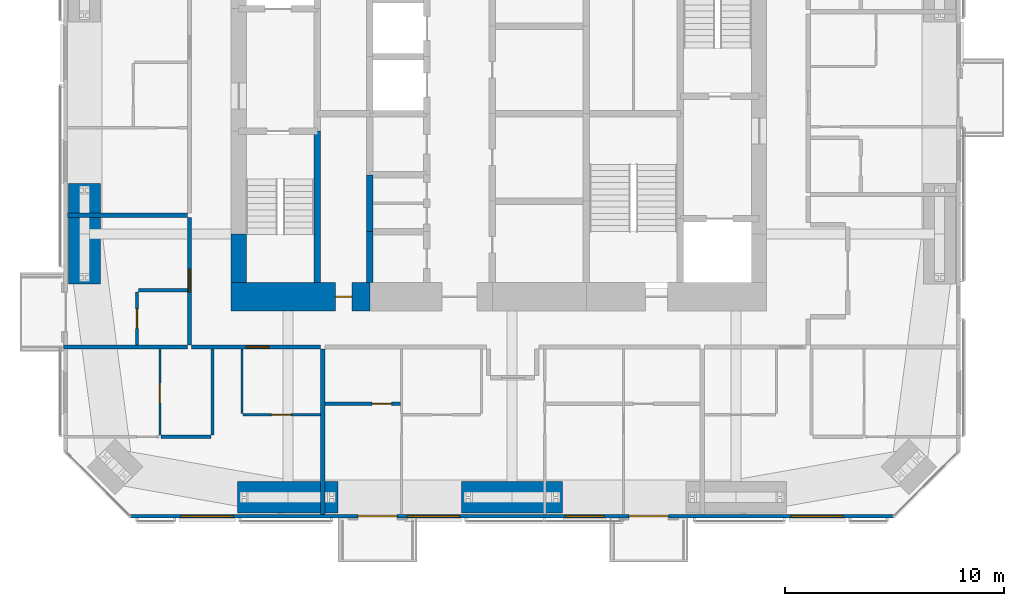
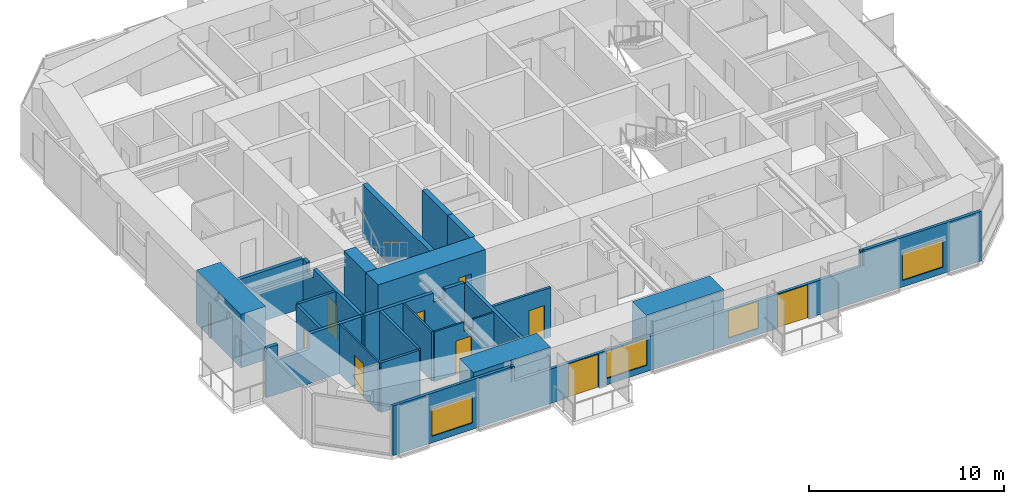
# One storey, part 15 of 22: 22 walls, 9 doors, 4 windows, 13 openings.
"""IFC4 building model written with IfcOpenShell, lengths in metres."""

import ifcopenshell
import ifcopenshell.guid

model = None  # the IFC model being written
_history = None  # IfcOwnerHistory: only IFC2X3 demands one
_inside = {}  # id of a spatial element -> (the spatial element, [elements in it])
_under = {}  # id of a project, library or spatial element -> (it, [spatial elements below it])
_declared = {}  # id of a project -> (the project, [libraries it declares])
_typed = {}  # id of a type object -> (the type object, [elements of that type])
_made_of = {}  # id of a material, layer set ... -> (it, [elements and type objects made of it])


def new_model(schema):
    """Start an empty IFC model of exactly this schema.

    Asked for "IFC4X3", IfcOpenShell would pick the latest addendum, in which some entities
    have other attributes; the version numbers below select the first issue.
    IFC2X3 requires an IfcOwnerHistory on every rooted entity: one is made here for all.
    """
    global model, _history
    if schema == "IFC4X3":
        model = ifcopenshell.file(schema_version=(4, 3, 0, 0))
    else:
        model = ifcopenshell.file(schema=schema)
    _inside.clear()
    _under.clear()
    _declared.clear()
    _typed.clear()
    _made_of.clear()
    _history = None
    if model.schema == "IFC2X3":
        org = make("IfcOrganization", Name="unknown")
        user = make(
            "IfcPersonAndOrganization",
            ThePerson=make("IfcPerson", FamilyName="unknown"),
            TheOrganization=org,
        )
        app = make(
            "IfcApplication",
            ApplicationDeveloper=org,
            Version="unknown",
            ApplicationFullName="unknown",
            ApplicationIdentifier="unknown",
        )
        _history = make(
            "IfcOwnerHistory",
            OwningUser=user,
            OwningApplication=app,
            ChangeAction="ADDED",
            CreationDate=0,
        )
    return model


def make(cls, **values):
    """One entity of the class cls with the attributes given. An attribute that is None is left unset."""
    return model.create_entity(
        cls, **{name: value for name, value in values.items() if value is not None}
    )


def rooted(cls, **values):
    """An entity with a GlobalId (a new one), such as an element, a storey or a relation."""
    return make(cls, GlobalId=ifcopenshell.guid.new(), OwnerHistory=_history, **values)


def si_unit(unit_type, name, prefix=None):
    """IfcSIUnit, for example si_unit("LENGTHUNIT", "METRE", prefix="MILLI")."""
    return make("IfcSIUnit", UnitType=unit_type, Prefix=prefix, Name=name)


def assignment(units):
    """IfcUnitAssignment: the units of a project."""
    return None if units is None else make("IfcUnitAssignment", Units=units)


def point(xyz):
    """IfcCartesianPoint."""
    return None if xyz is None else make("IfcCartesianPoint", Coordinates=xyz)


def direction(xyz):
    """IfcDirection."""
    return None if xyz is None else make("IfcDirection", DirectionRatios=xyz)


def frame(location, z_axis=None, x_axis=None):
    """IfcAxis2Placement3D, a coordinate frame: its origin and axes. An axis left out is left unset."""
    return make(
        "IfcAxis2Placement3D",
        Location=point(location),
        Axis=direction(z_axis),
        RefDirection=direction(x_axis),
    )


def frame_2d(location, x_axis=None):
    """IfcAxis2Placement2D, a coordinate frame in the plane: its origin and x axis."""
    return make(
        "IfcAxis2Placement2D", Location=point(location), RefDirection=direction(x_axis)
    )


def origin():
    """The frame at (0, 0, 0) with its axes left unset."""
    return frame((0.0, 0.0, 0.0))


def place(relative_to, where):
    """IfcLocalPlacement: puts the frame where relative to a parent placement (None: the world)."""
    return make(
        "IfcLocalPlacement", PlacementRelTo=relative_to, RelativePlacement=where
    )


def context(
    kind, dimensions, precision=None, world=None, true_north=None, identifier=None
):
    """IfcGeometricRepresentationContext, for example the 3D "Model" context."""
    return make(
        "IfcGeometricRepresentationContext",
        ContextIdentifier=identifier,
        ContextType=kind,
        CoordinateSpaceDimension=dimensions,
        Precision=precision,
        WorldCoordinateSystem=world,
        TrueNorth=true_north,
    )


def subcontext(parent, identifier, kind, view, scale=None):
    """IfcGeometricRepresentationSubContext, for example "Body" below "Model"."""
    return make(
        "IfcGeometricRepresentationSubContext",
        ContextIdentifier=identifier,
        ContextType=kind,
        ParentContext=parent,
        TargetScale=scale,
        TargetView=view,
    )


def project(units=None, contexts=None):
    """IfcProject with its units and contexts."""
    return rooted(
        "IfcProject",
        Name="project",
        RepresentationContexts=contexts,
        UnitsInContext=assignment(units),
    )


def spatial(cls, under=None, at=None, **own):
    """A site, building, storey or space (cls), placed at a placement, below another one or the project."""
    s = rooted(cls, ObjectPlacement=at, **own)
    if under is not None:
        _under.setdefault(under.id(), (under, []))[1].append(s)
    return s


def polyline(points):
    """IfcPolyline through the points."""
    return make("IfcPolyline", Points=[point(p) for p in points])


def profile(cls, at=None, kind="AREA", **sizes):
    """A parametric profile (cls). Its sizes go by their IFC names, for example OverallWidth=200.0."""
    return make(cls, ProfileType=kind, Position=at, **sizes)


def rectangle(**sizes):
    """IfcRectangleProfileDef."""
    return profile("IfcRectangleProfileDef", **sizes)


def outline(outer, holes=None, kind="AREA"):
    """IfcArbitraryClosedProfileDef: a profile drawn as a closed curve; with holes, ...WithVoids."""
    if holes is None:
        return make("IfcArbitraryClosedProfileDef", ProfileType=kind, OuterCurve=outer)
    return make(
        "IfcArbitraryProfileDefWithVoids",
        ProfileType=kind,
        OuterCurve=outer,
        InnerCurves=holes,
    )


def extrude(swept, where, along, depth):
    """IfcExtrudedAreaSolid: the profile swept, set in the frame where, extruded along a direction by depth."""
    return make(
        "IfcExtrudedAreaSolid",
        SweptArea=swept,
        Position=where,
        ExtrudedDirection=direction(along),
        Depth=depth,
    )


def shape(context_of_items, identifier, shape_type, items):
    """IfcShapeRepresentation: the items that make up one representation, for example the "Body"."""
    return make(
        "IfcShapeRepresentation",
        ContextOfItems=context_of_items,
        RepresentationIdentifier=identifier,
        RepresentationType=shape_type,
        Items=items,
    )


def material(Name=None, Category=None):
    """IfcMaterial."""
    return make("IfcMaterial", Name=Name, Category=Category)


def layer(
    of_material, thickness, ventilated=None, Name=None, Category=None, Priority=None
):
    """IfcMaterialLayer: one layer of a wall or slab, of a material (None: an air gap)."""
    return make(
        "IfcMaterialLayer",
        Material=of_material,
        LayerThickness=thickness,
        IsVentilated=ventilated,
        Name=Name,
        Category=Category,
        Priority=Priority,
    )


def layer_set(layers, Name=None):
    """IfcMaterialLayerSet."""
    return make("IfcMaterialLayerSet", MaterialLayers=layers, LayerSetName=Name)


def constituent(of_material, Name=None, Category=None, fraction=None):
    """IfcMaterialConstituent: one of the materials an element consists of."""
    return make(
        "IfcMaterialConstituent",
        Name=Name,
        Material=of_material,
        Fraction=fraction,
        Category=Category,
    )


def constituent_set(constituents=None, Name=None):
    """IfcMaterialConstituentSet."""
    return make(
        "IfcMaterialConstituentSet", Name=Name, MaterialConstituents=constituents
    )


def made_of(thing, what):
    """Note that an element or type object is made of a material, layer set ...; save() writes the relation."""
    if what is not None:
        _made_of.setdefault(what.id(), (what, []))[1].append(thing)
    return thing


def type_object(cls, material=None, **own):
    """A type object (cls), such as IfcWallType, which elements share."""
    return made_of(rooted(cls, **own), material)


def element(
    cls,
    number,
    at=None,
    inside=None,
    cuts=None,
    type_object=None,
    material=None,
    context=None,
    identifier="Body",
    shape_type=None,
    held_by="IfcProductDefinitionShape",
    body=None,
    shapes=None,
    **own,
):
    """One element of the class cls, such as IfcWall. Its Tag is "e" and its number.

    at: its placement. inside: the storey or other place that contains it. cuts: it is an
    opening in that element (IfcRelVoidsElement). A single representation is given by context,
    identifier, shape_type and body (its items); several are given by shapes. held_by: the class
    of the entity that holds the representations. save() writes the other relations.
    """
    e = rooted(cls, Tag="e%d" % number, ObjectPlacement=at, **own)
    if body is not None:
        shapes = [shape(context, identifier, shape_type, body)]
    if shapes is not None:
        e.Representation = make(held_by, Representations=shapes)
    if inside is not None:
        _inside.setdefault(inside.id(), (inside, []))[1].append(e)
    if cuts is not None:
        rooted(
            "IfcRelVoidsElement", RelatingBuildingElement=cuts, RelatedOpeningElement=e
        )
    if type_object is not None:
        _typed.setdefault(type_object.id(), (type_object, []))[1].append(e)
    return made_of(e, material)


def fill(opening, filler):
    """IfcRelFillsElement: the door or window that sits in an opening."""
    return rooted(
        "IfcRelFillsElement",
        RelatingOpeningElement=opening,
        RelatedBuildingElement=filler,
    )


def aggregate(whole, parts):
    """IfcRelAggregates: a whole, such as a stair, and the parts it consists of."""
    return rooted("IfcRelAggregates", RelatingObject=whole, RelatedObjects=parts)


def save(model, path):
    """Write the relations noted so far, then the file.

    IfcRelAggregates (storeys below a building ...), IfcRelContainedInSpatialStructure (elements
    in a storey), IfcRelDefinesByType, IfcRelAssociatesMaterial and IfcRelDeclares: one each for
    every whole, place, type object, material and project.
    """
    for whole, parts in _under.values():
        aggregate(whole, parts)
    for where, things in _inside.values():
        rooted(
            "IfcRelContainedInSpatialStructure",
            RelatedElements=things,
            RelatingStructure=where,
        )
    for kind, things in _typed.values():
        rooted("IfcRelDefinesByType", RelatedObjects=things, RelatingType=kind)
    for what, things in _made_of.values():
        rooted("IfcRelAssociatesMaterial", RelatedObjects=things, RelatingMaterial=what)
    for by, libraries in _declared.values():
        rooted("IfcRelDeclares", RelatingContext=by, RelatedDefinitions=libraries)
    model.write(path)


model = new_model("IFC4")

# Units and contexts
model_context = context("Model", 3, precision=1e-05, world=origin(), true_north=direction((0.0, 1.0)))
body_context = subcontext(model_context, "Body", "Model", "MODEL_VIEW")
ifc_project = project(units=[si_unit("LENGTHUNIT", "METRE"), si_unit("AREAUNIT", "SQUARE_METRE"), si_unit("VOLUMEUNIT", "CUBIC_METRE"), si_unit("PLANEANGLEUNIT", "RADIAN"), si_unit("MASSUNIT", "GRAM", prefix="KILO")], contexts=[model_context])

# Site, building, storey
site_placement = place(None, origin())
site = spatial("IfcSite", under=ifc_project, at=site_placement, CompositionType="ELEMENT")
building_placement = place(site_placement, origin())
building = spatial("IfcBuilding", under=site, at=building_placement, Name="Jalousie Tower", CompositionType="ELEMENT")
storey_placement = place(building_placement, frame((0.0, 0.0, 177.800048828125)))
storey = spatial("IfcBuildingStorey", under=building, at=storey_placement, Name="L48", CompositionType="ELEMENT", Elevation=177.800048828125)

# Walls
ifc_material_1 = material(Name="Concrete block ASTM C90", Category="concrete")
ifc_constituent_1 = constituent(ifc_material_1, Name="Body")
ifc_material_2 = material(Name="Render")
ifc_constituent_2 = constituent(ifc_material_2, Name="Finish")
ifc_constituent_set_1 = constituent_set(constituents=[ifc_constituent_1, ifc_constituent_2])
wall_type_1 = type_object("IfcWallType", Name="BATHROOM WALL 150", PredefinedType="PLUMBINGWALL", material=ifc_constituent_set_1)
wall_1_placement = place(storey_placement, frame((18.72509765625, 3.72119140625, 0.0), z_axis=(0.0, 0.0, 1.0), x_axis=(-1.0, 0.0, 0.0)))
element("IfcWall", 1, at=wall_1_placement, inside=storey, type_object=wall_type_1, Name="Bathroom Wall 150 L48", PredefinedType="PLUMBINGWALL", context=body_context, shape_type="SweptSolid", body=[
    extrude(rectangle(XDim=2.275146484375, YDim=0.14990234375, at=frame_2d((1.1376953125, 0.0))), origin(), (0.0, 0.0, 1.0), 3.10986328125),
])
wall_2_placement = place(storey_placement, frame((18.800048828125, 3.79638671875, 0.0), z_axis=(0.0, 0.0, 1.0), x_axis=(0.0, 1.0, 0.0)))
element("IfcWall", 2, at=wall_2_placement, inside=storey, type_object=wall_type_1, Name="Bathroom Wall 150 L48", PredefinedType="PLUMBINGWALL", context=body_context, shape_type="SweptSolid", body=[
    extrude(rectangle(XDim=3.9287109375, YDim=0.14990234375, at=frame_2d((1.96435546875, 0.0))), origin(), (0.0, 0.0, 1.0), 3.10986328125),
])

# Wall, opening, door
wall_3_placement = place(storey_placement, frame((23.949951171875, 5.22509765625, 0.0), z_axis=(0.0, 0.0, 1.0), x_axis=(1.0, 0.0, 0.0)))
wall_3 = element("IfcWall", 3, at=wall_3_placement, inside=storey, type_object=wall_type_1, Name="Bathroom Wall 150 L48", PredefinedType="PLUMBINGWALL", context=body_context, shape_type="SweptSolid", body=[
    extrude(rectangle(XDim=3.449951171875, YDim=0.14990234375, at=frame_2d((1.72509765625, 0.0))), origin(), (0.0, 0.0, 1.0), 3.10986328125),
])
opening_1_placement = place(wall_3_placement, frame((2.14990234375, 0.0, 0.0)))
opening_1 = element("IfcOpeningElement", 4, at=opening_1_placement, cuts=wall_3, Name="Opening D3", PredefinedType="OPENING", context=body_context, shape_type="SweptSolid", body=[
    extrude(rectangle(XDim=0.89990234375, YDim=2.10009765625, at=frame_2d((0.449951171875, 1.050048828125))), frame((0.0, 0.0849609375, 0.0), z_axis=(0.0, -1.0, 0.0), x_axis=(1.0, 0.0, 0.0)), (0.0, 0.0, 1.0), 0.169921875),
])
ifc_material_3 = material(Name="Timber door", Category="wood")
door_type_1 = type_object("IfcDoorType", Name="BATHROOM DOOR 900", OperationType="SINGLE_SWING_LEFT", PredefinedType="DOOR", material=ifc_material_3)
door_1_placement = place(opening_1_placement, origin())
door_1 = element("IfcDoor", 5, at=door_1_placement, inside=storey, type_object=door_type_1, Name="Apartment 4802 bedroom 1 bathroom door", OperationType="SINGLE_SWING_RIGHT", OverallHeight=2.10009765625, OverallWidth=0.89990234375, PredefinedType="DOOR", context=body_context, shape_type="SweptSolid", body=[
    extrude(rectangle(XDim=0.89990234375, YDim=2.10009765625, at=frame_2d((0.449951171875, 1.050048828125))), frame((0.0, 0.02490234375, 0.0), z_axis=(0.0, -1.0, 0.0), x_axis=(1.0, 0.0, 0.0)), (0.0, 0.0, 1.0), 0.050048828125),
])
fill(opening_1, door_1)

wall_4_placement = place(storey_placement, frame((15.35009765625, 7.925048828125, 0.0), z_axis=(0.0, 0.0, 1.0), x_axis=(0.0, 1.0, 0.0)))
wall_4 = element("IfcWall", 6, at=wall_4_placement, inside=storey, type_object=wall_type_1, Name="Bathroom Wall 150 L48", PredefinedType="PLUMBINGWALL", context=body_context, shape_type="SweptSolid", body=[
    extrude(rectangle(XDim=2.425048828125, YDim=0.14990234375, at=frame_2d((1.21240234375, 0.0))), origin(), (0.0, 0.0, 1.0), 3.10986328125),
])
opening_2_placement = place(wall_4_placement, frame((0.75, 0.0, 0.0)))
opening_2 = element("IfcOpeningElement", 7, at=opening_2_placement, cuts=wall_4, Name="Opening D3", PredefinedType="OPENING", context=body_context, shape_type="SweptSolid", body=[
    extrude(rectangle(XDim=0.89990234375, YDim=2.10009765625, at=frame_2d((0.449951171875, 1.050048828125))), frame((0.0, 0.0849609375, 0.0), z_axis=(0.0, -1.0, 0.0), x_axis=(1.0, 0.0, 0.0)), (0.0, 0.0, 1.0), 0.169921875),
])
door_2_placement = place(opening_2_placement, frame((0.89990234375, 0.0, 0.0), z_axis=(0.0, 0.0, 1.0), x_axis=(-1.0, 0.0, 0.0)))
door_2 = element("IfcDoor", 8, at=door_2_placement, inside=storey, type_object=door_type_1, Name="Apartment 4805 bathroom door", OperationType="SINGLE_SWING_RIGHT", OverallHeight=2.10009765625, OverallWidth=0.89990234375, PredefinedType="DOOR", context=body_context, shape_type="SweptSolid", body=[
    extrude(rectangle(XDim=0.89990234375, YDim=2.10009765625, at=frame_2d((0.449951171875, 1.050048828125))), frame((0.0, 0.02490234375, 0.0), z_axis=(0.0, -1.0, 0.0), x_axis=(1.0, 0.0, 0.0)), (0.0, 0.0, 1.0), 0.050048828125),
])
fill(opening_2, door_2)

# Wall
wall_5_placement = place(storey_placement, frame((15.425048828125, 10.425048828125, 0.0), z_axis=(0.0, 0.0, 1.0), x_axis=(1.0, 0.0, 0.0)))
element("IfcWall", 9, at=wall_5_placement, inside=storey, type_object=wall_type_1, Name="Bathroom Wall 150 L48", PredefinedType="PLUMBINGWALL", context=body_context, shape_type="SweptSolid", body=[
    extrude(rectangle(XDim=2.224853515625, YDim=0.14990234375, at=frame_2d((1.1123046875, 0.0))), origin(), (0.0, 0.0, 1.0), 3.10986328125),
])

# Wall, opening, door
ifc_material_4 = material(Name="Concrete f'c 120 MPa", Category="concrete")
ifc_layer_1 = layer(ifc_material_4, 1.300048828125)
ifc_layer_set_1 = layer_set([ifc_layer_1], Name="Concrete f'c 120 MPa")
wall_type_2 = type_object("IfcWallType", Name="CORE WALL 1300", PredefinedType="SHEAR", material=ifc_layer_set_1)
wall_6_placement = place(storey_placement, frame((19.64990234375, 10.125, 0.0), z_axis=(0.0, 0.0, 1.0), x_axis=(1.0, 0.0, 0.0)))
wall_6 = element("IfcWall", 10, at=wall_6_placement, inside=storey, type_object=wall_type_2, Name="Core wall SA L48", PredefinedType="SHEAR", context=body_context, shape_type="SweptSolid", body=[
    extrude(rectangle(XDim=6.35009765625, YDim=1.300048828125, at=frame_2d((3.175048828125, 0.0))), origin(), (0.0, 0.0, 1.0), 3.349853515625),
])
opening_3_placement = place(wall_6_placement, frame((4.77490234375, 0.0, 0.0)))
opening_3 = element("IfcOpeningElement", 11, at=opening_3_placement, cuts=wall_6, Name="Opening D16", PredefinedType="OPENING", context=body_context, shape_type="SweptSolid", body=[
    extrude(rectangle(XDim=0.75, YDim=2.10009765625, at=frame_2d((0.375, 1.050048828125))), frame((0.0, 0.659912109375, 0.0), z_axis=(0.0, -1.0, 0.0), x_axis=(1.0, 0.0, 0.0)), (0.0, 0.0, 1.0), 1.320068359375),
])
ifc_material_5 = material(Name="Steel fire door", Category="steel")
door_type_2 = type_object("IfcDoorType", Name="RISER DOOR 750", OperationType="SINGLE_SWING_LEFT", PredefinedType="DOOR", material=ifc_material_5)
door_3_placement = place(opening_3_placement, origin())
door_3 = element("IfcDoor", 12, at=door_3_placement, inside=storey, type_object=door_type_2, Name="South riser door", OperationType="SINGLE_SWING_LEFT", OverallHeight=2.10009765625, OverallWidth=0.75, PredefinedType="DOOR", context=body_context, shape_type="SweptSolid", body=[
    extrude(rectangle(XDim=0.75, YDim=2.10009765625, at=frame_2d((0.375, 1.050048828125))), frame((0.0, 0.02490234375, 0.0), z_axis=(0.0, -1.0, 0.0), x_axis=(1.0, 0.0, 0.0)), (0.0, 0.0, 1.0), 0.050048828125),
])
fill(opening_3, door_3)

# Walls
ifc_material_6 = material(Name="Concrete f'c 120 MPa", Category="concrete")
ifc_layer_2 = layer(ifc_material_6, 0.300048828125)
ifc_layer_set_2 = layer_set([ifc_layer_2], Name="Concrete f'c 120 MPa")
wall_type_3 = type_object("IfcWallType", Name="CORE WALL 300", PredefinedType="SHEAR", material=ifc_layer_set_2)
wall_7_placement = place(storey_placement, frame((23.60009765625, 10.77490234375, 0.0), z_axis=(0.0, 0.0, 1.0), x_axis=(0.0, 1.0, 0.0)))
element("IfcWall", 13, at=wall_7_placement, inside=storey, type_object=wall_type_3, Name="Core wall X23.6A L48", PredefinedType="SHEAR", context=body_context, shape_type="SweptSolid", body=[
    extrude(rectangle(XDim=6.925048828125, YDim=0.300048828125, at=frame_2d((3.46240234375, 0.0))), origin(), (0.0, 0.0, 1.0), 3.349853515625),
])
wall_8_placement = place(storey_placement, frame((26.0, 10.77490234375, 0.0), z_axis=(0.0, 0.0, 1.0), x_axis=(0.0, 1.0, 0.0)))
element("IfcWall", 14, at=wall_8_placement, inside=storey, type_object=wall_type_3, Name="Core wall X26A L48", PredefinedType="SHEAR", context=body_context, shape_type="SweptSolid", body=[
    extrude(rectangle(XDim=2.3251953125, YDim=0.300048828125, at=frame_2d((1.16259765625, 0.0))), origin(), (0.0, 0.0, 1.0), 3.349853515625),
])
wall_9_placement = place(storey_placement, frame((26.0, 13.10009765625, 0.0), z_axis=(0.0, 0.0, 1.0), x_axis=(0.0, 1.0, 0.0)))
element("IfcWall", 15, at=wall_9_placement, inside=storey, type_object=wall_type_3, Name="Core wall X26B L48", PredefinedType="SHEAR", context=body_context, shape_type="SweptSolid", body=[
    extrude(rectangle(XDim=2.599853515625, YDim=0.300048828125, at=frame_2d((1.2998046875, 0.0))), origin(), (0.0, 0.0, 1.0), 3.349853515625),
])
ifc_material_7 = material(Name="Concrete f'c 120 MPa", Category="concrete")
ifc_layer_3 = layer(ifc_material_7, 0.699951171875)
ifc_layer_set_3 = layer_set([ifc_layer_3], Name="Concrete f'c 120 MPa")
wall_type_4 = type_object("IfcWallType", Name="CORE WALL 700", PredefinedType="SHEAR", material=ifc_layer_set_3)
wall_10_placement = place(storey_placement, frame((20.0, 13.0, 0.0), z_axis=(0.0, 0.0, 1.0), x_axis=(0.0, -1.0, 0.0)))
element("IfcWall", 16, at=wall_10_placement, inside=storey, type_object=wall_type_4, Name="Core wall WD L48", PredefinedType="SHEAR", context=body_context, shape_type="SweptSolid", body=[
    extrude(rectangle(XDim=2.22509765625, YDim=0.699951171875, at=frame_2d((1.112548828125, 0.0))), origin(), (0.0, 0.0, 1.0), 3.349853515625),
])

# Wall, opening, door
ifc_material_8 = material(Name="Concrete block ASTM C90", Category="concrete")
ifc_constituent_3 = constituent(ifc_material_8, Name="Body")
ifc_material_9 = material(Name="Render")
ifc_constituent_4 = constituent(ifc_material_9, Name="Finish")
ifc_constituent_set_2 = constituent_set(constituents=[ifc_constituent_3, ifc_constituent_4])
wall_type_5 = type_object("IfcWallType", Name="CORRIDOR WALL 200", PredefinedType="PARTITIONING", material=ifc_constituent_set_2)
wall_11_placement = place(storey_placement, frame((17.85009765625, 7.824951171875, 0.0), z_axis=(0.0, 0.0, 1.0), x_axis=(1.0, 0.0, 0.0)))
wall_11 = element("IfcWall", 17, at=wall_11_placement, inside=storey, type_object=wall_type_5, Name="Corridor Wall 200 L48", PredefinedType="PARTITIONING", context=body_context, shape_type="SweptSolid", body=[
    extrude(outline(polyline([(0.0, 0.0), (5.89990234375, 0.0), (5.89990234375, 3.10986328125), (4.7373046875, 3.10986328125), (4.7373046875, 2.541015625), (4.0625, 2.541015625), (4.0625, 3.10986328125), (0.0, 3.10986328125), (0.0, 0.0)])), frame((0.0, 0.10009765625, 0.0), z_axis=(0.0, -1.0, 0.0), x_axis=(1.0, 0.0, 0.0)), (0.0, 0.0, 1.0), 0.199951171875),
])
opening_4_placement = place(wall_11_placement, frame((2.5, 0.0, 0.0)))
opening_4 = element("IfcOpeningElement", 18, at=opening_4_placement, cuts=wall_11, Name="Opening D1", PredefinedType="OPENING", context=body_context, shape_type="SweptSolid", body=[
    extrude(rectangle(XDim=1.050048828125, YDim=2.199951171875, at=frame_2d((0.52490234375, 1.10009765625))), frame((0.0, 0.10986328125, 0.0), z_axis=(0.0, -1.0, 0.0), x_axis=(1.0, 0.0, 0.0)), (0.0, 0.0, 1.0), 0.219970703125),
])
ifc_material_10 = material(Name="Timber fire door", Category="wood")
door_type_3 = type_object("IfcDoorType", Name="APARTMENT ENTRANCE DOOR 1050", OperationType="SINGLE_SWING_LEFT", PredefinedType="DOOR", material=ifc_material_10)
door_4_placement = place(opening_4_placement, frame((1.050048828125, 0.0, 0.0), z_axis=(0.0, 0.0, 1.0), x_axis=(-1.0, 0.0, 0.0)))
door_4 = element("IfcDoor", 19, at=door_4_placement, inside=storey, type_object=door_type_3, Name="Apartment 4801 entrance", OperationType="SINGLE_SWING_RIGHT", OverallHeight=2.199951171875, OverallWidth=1.050048828125, PredefinedType="DOOR", context=body_context, shape_type="SweptSolid", body=[
    extrude(rectangle(XDim=1.050048828125, YDim=2.199951171875, at=frame_2d((0.52490234375, 1.10009765625))), frame((0.0, 0.02490234375, 0.0), z_axis=(0.0, -1.0, 0.0), x_axis=(1.0, 0.0, 0.0)), (0.0, 0.0, 1.0), 0.050048828125),
])
fill(opening_4, door_4)

wall_12_placement = place(storey_placement, frame((17.75, 7.925048828125, 0.0), z_axis=(0.0, 0.0, 1.0), x_axis=(0.0, 1.0, 0.0)))
wall_12 = element("IfcWall", 20, at=wall_12_placement, inside=storey, type_object=wall_type_5, Name="Corridor Wall 200 L48", PredefinedType="PARTITIONING", context=body_context, shape_type="SweptSolid", body=[
    extrude(outline(polyline([(0.0, 0.0), (5.824951171875, 0.0), (5.824951171875, 3.10986328125), (5.412353515625, 3.10986328125), (5.412353515625, 2.541015625), (4.73779296875, 2.541015625), (4.73779296875, 3.10986328125), (0.0, 3.10986328125), (0.0, 0.0)])), frame((0.0, 0.10009765625, 0.0), z_axis=(0.0, -1.0, 0.0), x_axis=(1.0, 0.0, 0.0)), (0.0, 0.0, 1.0), 0.199951171875),
])
opening_5_placement = place(wall_12_placement, frame((2.41259765625, 0.0, 0.0)))
opening_5 = element("IfcOpeningElement", 21, at=opening_5_placement, cuts=wall_12, Name="Opening D1", PredefinedType="OPENING", context=body_context, shape_type="SweptSolid", body=[
    extrude(rectangle(XDim=1.050048828125, YDim=2.199951171875, at=frame_2d((0.52490234375, 1.10009765625))), frame((0.0, 0.10986328125, 0.0), z_axis=(0.0, -1.0, 0.0), x_axis=(1.0, 0.0, 0.0)), (0.0, 0.0, 1.0), 0.219970703125),
])
door_5_placement = place(opening_5_placement, origin())
door_5 = element("IfcDoor", 22, at=door_5_placement, inside=storey, type_object=door_type_3, Name="Apartment 4805 entrance", OperationType="SINGLE_SWING_RIGHT", OverallHeight=2.199951171875, OverallWidth=1.050048828125, PredefinedType="DOOR", context=body_context, shape_type="SweptSolid", body=[
    extrude(rectangle(XDim=1.050048828125, YDim=2.199951171875, at=frame_2d((0.52490234375, 1.10009765625))), frame((0.0, 0.02490234375, 0.0), z_axis=(0.0, -1.0, 0.0), x_axis=(1.0, 0.0, 0.0)), (0.0, 0.0, 1.0), 0.050048828125),
])
fill(opening_5, door_5)

# Wall, openings, doors, windows
ifc_material_11 = material(Name="Concrete f'c 40 MPa", Category="concrete")
ifc_constituent_5 = constituent(ifc_material_11, Name="Body")
ifc_material_12 = material(Name="Render, pastel lemon")
ifc_constituent_6 = constituent(ifc_material_12, Name="Finish")
ifc_constituent_set_3 = constituent_set(constituents=[ifc_constituent_5, ifc_constituent_6])
wall_type_6 = type_object("IfcWallType", Name="EXTERNAL WALL 175 LEMON RENDER", PredefinedType="SOLIDWALL", material=ifc_constituent_set_3)
wall_13_placement = place(storey_placement, frame((15.05126953125, 0.08740234375, 0.0), z_axis=(0.0, 0.0, 1.0), x_axis=(1.0, 0.0, 0.0)))
wall_13 = element("IfcWall", 23, at=wall_13_placement, inside=storey, type_object=wall_type_6, Name="External Wall 175 Lemon Render L48", PredefinedType="SOLIDWALL", context=body_context, shape_type="SweptSolid", body=[
    extrude(outline(polyline([(0.0, 0.0), (34.8974609375, 0.0), (34.8974609375, 3.10986328125), (27.91015625, 3.10986328125), (27.91015625, 2.14990234375), (27.8359375, 2.14990234375), (27.8359375, 3.10986328125), (27.69873046875, 3.10986328125), (27.69873046875, 2.14990234375), (7.19873046875, 2.14990234375), (7.19873046875, 3.10986328125), (7.0615234375, 3.10986328125), (7.0615234375, 2.14990234375), (6.9873046875, 2.14990234375), (6.9873046875, 3.10986328125), (0.0, 3.10986328125), (0.0, 0.0)])), frame((0.0, 0.08740234375, 0.0), z_axis=(0.0, -1.0, 0.0), x_axis=(1.0, 0.0, 0.0)), (0.0, 0.0, 1.0), 0.175048828125),
])
opening_6_placement = place(wall_13_placement, frame((2.3095703125, 0.0, 0.39990234375)))
opening_6 = element("IfcOpeningElement", 24, at=opening_6_placement, cuts=wall_13, Name="Opening W-LIV170", PredefinedType="OPENING", context=body_context, shape_type="SweptSolid", body=[
    extrude(rectangle(XDim=2.39990234375, YDim=1.699951171875, at=frame_2d((1.199951171875, 0.85009765625))), frame((0.0, 0.097412109375, 0.0), z_axis=(0.0, -1.0, 0.0), x_axis=(1.0, 0.0, 0.0)), (0.0, 0.0, 1.0), 0.195068359375),
])
opening_7_placement = place(wall_13_placement, frame((10.398681640625, 0.0, 0.0)))
opening_7 = element("IfcOpeningElement", 25, at=opening_7_placement, cuts=wall_13, Name="Opening D-BAL21", PredefinedType="OPENING", context=body_context, shape_type="SweptSolid", body=[
    extrude(rectangle(XDim=1.800048828125, YDim=2.10009765625, at=frame_2d((0.89990234375, 1.050048828125))), frame((0.0, 0.097412109375, 0.0), z_axis=(0.0, -1.0, 0.0), x_axis=(1.0, 0.0, 0.0)), (0.0, 0.0, 1.0), 0.195068359375),
])
opening_8_placement = place(wall_13_placement, frame((12.648681640625, 0.0, 0.39990234375)))
opening_8 = element("IfcOpeningElement", 26, at=opening_8_placement, cuts=wall_13, Name="Opening W-LIV170", PredefinedType="OPENING", context=body_context, shape_type="SweptSolid", body=[
    extrude(rectangle(XDim=2.39990234375, YDim=1.699951171875, at=frame_2d((1.199951171875, 0.85009765625))), frame((0.0, 0.097412109375, 0.0), z_axis=(0.0, -1.0, 0.0), x_axis=(1.0, 0.0, 0.0)), (0.0, 0.0, 1.0), 0.195068359375),
])
opening_9_placement = place(wall_13_placement, frame((19.873779296875, 0.0, 0.39990234375)))
opening_9 = element("IfcOpeningElement", 27, at=opening_9_placement, cuts=wall_13, Name="Opening W-BED170", PredefinedType="OPENING", context=body_context, shape_type="SweptSolid", body=[
    extrude(rectangle(XDim=1.800048828125, YDim=1.699951171875, at=frame_2d((0.89990234375, 0.85009765625))), frame((0.0, 0.097412109375, 0.0), z_axis=(0.0, -1.0, 0.0), x_axis=(1.0, 0.0, 0.0)), (0.0, 0.0, 1.0), 0.195068359375),
])
opening_10_placement = place(wall_13_placement, frame((22.798583984375, 0.0, 0.0)))
opening_10 = element("IfcOpeningElement", 28, at=opening_10_placement, cuts=wall_13, Name="Opening D-BAL21", PredefinedType="OPENING", context=body_context, shape_type="SweptSolid", body=[
    extrude(rectangle(XDim=1.800048828125, YDim=2.10009765625, at=frame_2d((0.89990234375, 1.050048828125))), frame((0.0, 0.097412109375, 0.0), z_axis=(0.0, -1.0, 0.0), x_axis=(1.0, 0.0, 0.0)), (0.0, 0.0, 1.0), 0.195068359375),
])
opening_11_placement = place(wall_13_placement, frame((30.205322265625, 0.0, 0.39990234375)))
opening_11 = element("IfcOpeningElement", 29, at=opening_11_placement, cuts=wall_13, Name="Opening W-LIV170", PredefinedType="OPENING", context=body_context, shape_type="SweptSolid", body=[
    extrude(rectangle(XDim=2.39990234375, YDim=1.699951171875, at=frame_2d((1.199951171875, 0.85009765625))), frame((0.0, 0.097412109375, 0.0), z_axis=(0.0, -1.0, 0.0), x_axis=(1.0, 0.0, 0.0)), (0.0, 0.0, 1.0), 0.195068359375),
])
ifc_material_13 = material(Name="Aluminium frame, impact-rated glazing", Category="aluminium")
door_type_4 = type_object("IfcDoorType", Name="BALCONY DOOR 1800x2100", OperationType="SLIDING_TO_LEFT", PredefinedType="DOOR", material=ifc_material_13)
door_6_placement = place(opening_7_placement, origin())
door_6 = element("IfcDoor", 30, at=door_6_placement, inside=storey, type_object=door_type_4, Name="Apartment 4802 bedroom 1 balcony door", OperationType="SLIDING_TO_LEFT", OverallHeight=2.10009765625, OverallWidth=1.800048828125, PredefinedType="DOOR", context=body_context, shape_type="SweptSolid", body=[
    extrude(rectangle(XDim=1.800048828125, YDim=2.10009765625, at=frame_2d((0.89990234375, 1.050048828125))), frame((0.0, 0.02490234375, 0.0), z_axis=(0.0, -1.0, 0.0), x_axis=(1.0, 0.0, 0.0)), (0.0, 0.0, 1.0), 0.050048828125),
])
fill(opening_7, door_6)
door_7_placement = place(opening_10_placement, origin())
door_7 = element("IfcDoor", 31, at=door_7_placement, inside=storey, type_object=door_type_4, Name="Apartment 4802 bedroom 3 balcony door", OperationType="SLIDING_TO_LEFT", OverallHeight=2.10009765625, OverallWidth=1.800048828125, PredefinedType="DOOR", context=body_context, shape_type="SweptSolid", body=[
    extrude(rectangle(XDim=1.800048828125, YDim=2.10009765625, at=frame_2d((0.89990234375, 1.050048828125))), frame((0.0, 0.02490234375, 0.0), z_axis=(0.0, -1.0, 0.0), x_axis=(1.0, 0.0, 0.0)), (0.0, 0.0, 1.0), 0.050048828125),
])
fill(opening_10, door_7)
ifc_material_14 = material(Name="Aluminium frame, impact-rated glazing", Category="aluminium")
window_type_1 = type_object("IfcWindowType", Name="WINDOW BED 1800x1700", PartitioningType="SINGLE_PANEL", PredefinedType="WINDOW", material=ifc_material_14)
window_1_placement = place(opening_9_placement, origin())
window_1 = element("IfcWindow", 32, at=window_1_placement, inside=storey, type_object=window_type_1, Name="Apartment 4802 bedroom 2 window", OverallHeight=1.699951171875, OverallWidth=1.800048828125, PartitioningType="SINGLE_PANEL", PredefinedType="WINDOW", context=body_context, shape_type="SweptSolid", body=[
    extrude(rectangle(XDim=1.800048828125, YDim=1.699951171875, at=frame_2d((0.89990234375, 0.85009765625))), frame((0.0, 0.030029296875, 0.0), z_axis=(0.0, -1.0, 0.0), x_axis=(1.0, 0.0, 0.0)), (0.0, 0.0, 1.0), 0.06005859375),
])
fill(opening_9, window_1)
ifc_material_15 = material(Name="Aluminium frame, impact-rated glazing", Category="aluminium")
window_type_2 = type_object("IfcWindowType", Name="WINDOW LIV 2400x1700", PartitioningType="DOUBLE_PANEL_VERTICAL", PredefinedType="WINDOW", material=ifc_material_15)
window_2_placement = place(opening_6_placement, origin())
window_2 = element("IfcWindow", 33, at=window_2_placement, inside=storey, type_object=window_type_2, Name="Apartment 4801 living and dining room window", OverallHeight=1.699951171875, OverallWidth=2.39990234375, PartitioningType="SINGLE_PANEL", PredefinedType="WINDOW", context=body_context, shape_type="SweptSolid", body=[
    extrude(rectangle(XDim=2.39990234375, YDim=1.699951171875, at=frame_2d((1.199951171875, 0.85009765625))), frame((0.0, 0.030029296875, 0.0), z_axis=(0.0, -1.0, 0.0), x_axis=(1.0, 0.0, 0.0)), (0.0, 0.0, 1.0), 0.06005859375),
])
fill(opening_6, window_2)
window_3_placement = place(opening_8_placement, origin())
window_3 = element("IfcWindow", 34, at=window_3_placement, inside=storey, type_object=window_type_2, Name="Apartment 4802 living and dining room window", OverallHeight=1.699951171875, OverallWidth=2.39990234375, PartitioningType="SINGLE_PANEL", PredefinedType="WINDOW", context=body_context, shape_type="SweptSolid", body=[
    extrude(rectangle(XDim=2.39990234375, YDim=1.699951171875, at=frame_2d((1.199951171875, 0.85009765625))), frame((0.0, 0.030029296875, 0.0), z_axis=(0.0, -1.0, 0.0), x_axis=(1.0, 0.0, 0.0)), (0.0, 0.0, 1.0), 0.06005859375),
])
fill(opening_8, window_3)
window_4_placement = place(opening_11_placement, origin())
window_4 = element("IfcWindow", 35, at=window_4_placement, inside=storey, type_object=window_type_2, Name="Apartment 4803 living and dining room window", OverallHeight=1.699951171875, OverallWidth=2.39990234375, PartitioningType="SINGLE_PANEL", PredefinedType="WINDOW", context=body_context, shape_type="SweptSolid", body=[
    extrude(rectangle(XDim=2.39990234375, YDim=1.699951171875, at=frame_2d((1.199951171875, 0.85009765625))), frame((0.0, 0.030029296875, 0.0), z_axis=(0.0, -1.0, 0.0), x_axis=(1.0, 0.0, 0.0)), (0.0, 0.0, 1.0), 0.06005859375),
])
fill(opening_11, window_4)

# Wall, opening, door
ifc_material_16 = material(Name="Gypsum board", Category="gypsum")
ifc_constituent_7 = constituent(ifc_material_16, Name="Body")
ifc_material_17 = material(Name="Light-gauge steel studs ASTM A653 SS Grade 33", Category="steel")
ifc_constituent_8 = constituent(ifc_material_17, Name="Framing")
ifc_constituent_set_4 = constituent_set(constituents=[ifc_constituent_7, ifc_constituent_8])
wall_type_7 = type_object("IfcWallType", Name="PARTITION 100", PredefinedType="PARTITIONING", material=ifc_constituent_set_4)
wall_14_placement = place(storey_placement, frame((16.39990234375, 3.79638671875, 0.0), z_axis=(0.0, 0.0, 1.0), x_axis=(0.0, 1.0, 0.0)))
wall_14 = element("IfcWall", 36, at=wall_14_placement, inside=storey, type_object=wall_type_7, Name="Partition 100 L48", PredefinedType="PARTITIONING", context=body_context, shape_type="SweptSolid", body=[
    extrude(rectangle(XDim=3.9287109375, YDim=0.10009765625, at=frame_2d((1.96435546875, 0.0))), origin(), (0.0, 0.0, 1.0), 3.10986328125),
])
opening_12_placement = place(wall_14_placement, frame((1.476806640625, 0.0, 0.0)))
opening_12 = element("IfcOpeningElement", 37, at=opening_12_placement, cuts=wall_14, Name="Opening D3", PredefinedType="OPENING", context=body_context, shape_type="SweptSolid", body=[
    extrude(rectangle(XDim=0.89990234375, YDim=2.10009765625, at=frame_2d((0.449951171875, 1.050048828125))), frame((0.0, 0.06005859375, 0.0), z_axis=(0.0, -1.0, 0.0), x_axis=(1.0, 0.0, 0.0)), (0.0, 0.0, 1.0), 0.1201171875),
])
door_8_placement = place(opening_12_placement, frame((0.89990234375, 0.0, 0.0), z_axis=(0.0, 0.0, 1.0), x_axis=(-1.0, 0.0, 0.0)))
door_8 = element("IfcDoor", 38, at=door_8_placement, inside=storey, type_object=door_type_1, Name="Apartment 4801 bedroom 1 bathroom door", OperationType="SINGLE_SWING_RIGHT", OverallHeight=2.10009765625, OverallWidth=0.89990234375, PredefinedType="DOOR", context=body_context, shape_type="SweptSolid", body=[
    extrude(rectangle(XDim=0.89990234375, YDim=2.10009765625, at=frame_2d((0.449951171875, 1.050048828125))), frame((0.0, 0.02490234375, 0.0), z_axis=(0.0, -1.0, 0.0), x_axis=(1.0, 0.0, 0.0)), (0.0, 0.0, 1.0), 0.050048828125),
])
fill(opening_12, door_8)

wall_15_placement = place(storey_placement, frame((20.199951171875, 4.72509765625, 0.0), z_axis=(0.0, 0.0, 1.0), x_axis=(1.0, 0.0, 0.0)))
wall_15 = element("IfcWall", 39, at=wall_15_placement, inside=storey, type_object=wall_type_7, Name="Partition 100 L48", PredefinedType="PARTITIONING", context=body_context, shape_type="SweptSolid", body=[
    extrude(outline(polyline([(0.0, 0.0), (3.550048828125, 0.0), (3.550048828125, 3.10986328125), (2.33740234375, 3.10986328125), (2.33740234375, 2.541015625), (1.7626953125, 2.541015625), (1.7626953125, 3.10986328125), (0.0, 3.10986328125), (0.0, 0.0)])), frame((0.0, 0.050048828125, 0.0), z_axis=(0.0, -1.0, 0.0), x_axis=(1.0, 0.0, 0.0)), (0.0, 0.0, 1.0), 0.10009765625),
])
opening_13_placement = place(wall_15_placement, frame((1.300048828125, 0.0, 0.0)))
opening_13 = element("IfcOpeningElement", 40, at=opening_13_placement, cuts=wall_15, Name="Opening D7", PredefinedType="OPENING", context=body_context, shape_type="SweptSolid", body=[
    extrude(rectangle(XDim=0.89990234375, YDim=2.10009765625, at=frame_2d((0.449951171875, 1.050048828125))), frame((0.0, 0.06005859375, 0.0), z_axis=(0.0, -1.0, 0.0), x_axis=(1.0, 0.0, 0.0)), (0.0, 0.0, 1.0), 0.1201171875),
])
ifc_material_18 = material(Name="Timber door", Category="wood")
door_type_5 = type_object("IfcDoorType", Name="INTERNAL DOOR 900", OperationType="SINGLE_SWING_LEFT", PredefinedType="DOOR", material=ifc_material_18)
door_9_placement = place(opening_13_placement, frame((0.89990234375, 0.0, 0.0), z_axis=(0.0, 0.0, 1.0), x_axis=(-1.0, 0.0, 0.0)))
door_9 = element("IfcDoor", 41, at=door_9_placement, inside=storey, type_object=door_type_5, Name="Apartment 4801 kitchen door", OperationType="SINGLE_SWING_LEFT", OverallHeight=2.10009765625, OverallWidth=0.89990234375, PredefinedType="DOOR", context=body_context, shape_type="SweptSolid", body=[
    extrude(rectangle(XDim=0.89990234375, YDim=2.10009765625, at=frame_2d((0.449951171875, 1.050048828125))), frame((0.0, 0.02490234375, 0.0), z_axis=(0.0, -1.0, 0.0), x_axis=(1.0, 0.0, 0.0)), (0.0, 0.0, 1.0), 0.050048828125),
])
fill(opening_13, door_9)

# Walls
wall_16_placement = place(storey_placement, frame((20.14990234375, 4.77490234375, 0.0), z_axis=(0.0, 0.0, 1.0), x_axis=(0.0, 1.0, 0.0)))
element("IfcWall", 42, at=wall_16_placement, inside=storey, type_object=wall_type_7, Name="Partition 100 L48", PredefinedType="PARTITIONING", context=body_context, shape_type="SweptSolid", body=[
    extrude(rectangle(XDim=2.9501953125, YDim=0.10009765625, at=frame_2d((1.47509765625, 0.0))), origin(), (0.0, 0.0, 1.0), 3.10986328125),
])
ifc_material_19 = material(Name="Concrete block ASTM C90", Category="concrete")
ifc_constituent_9 = constituent(ifc_material_19, Name="Body")
ifc_material_20 = material(Name="Render")
ifc_constituent_10 = constituent(ifc_material_20, Name="Finish")
ifc_constituent_set_5 = constituent_set(constituents=[ifc_constituent_9, ifc_constituent_10])
wall_type_8 = type_object("IfcWallType", Name="PARTY WALL 200", PredefinedType="PARTITIONING", material=ifc_constituent_set_5)
wall_17_placement = place(storey_placement, frame((23.85009765625, 0.175048828125, 0.0), z_axis=(0.0, 0.0, 1.0), x_axis=(0.0, 1.0, 0.0)))
element("IfcWall", 43, at=wall_17_placement, inside=storey, type_object=wall_type_8, Name="Party Wall 200 L48", PredefinedType="PARTITIONING", context=body_context, shape_type="SweptSolid", body=[
    extrude(outline(polyline([(0.52880859375, 2.14990234375), (0.0, 2.14990234375), (0.0, 0.0), (0.52880859375, 0.0), (0.52880859375, 0.206298828125), (1.021240234375, 0.206298828125), (1.021240234375, 0.0), (7.550048828125, 0.0), (7.550048828125, 3.10986328125), (1.68505859375, 3.10986328125), (1.68505859375, 2.14990234375), (1.021240234375, 2.14990234375), (1.021240234375, 1.943603515625), (0.52880859375, 1.943603515625), (0.52880859375, 2.14990234375)])), frame((0.0, 0.10009765625, 0.0), z_axis=(0.0, -1.0, 0.0), x_axis=(1.0, 0.0, 0.0)), (0.0, 0.0, 1.0), 0.199951171875),
])
wall_18_placement = place(storey_placement, frame((12.0, 7.824951171875, 0.0), z_axis=(0.0, 0.0, 1.0), x_axis=(1.0, 0.0, 0.0)))
element("IfcWall", 44, at=wall_18_placement, inside=storey, type_object=wall_type_8, Name="Party Wall 200 L48", PredefinedType="PARTITIONING", context=body_context, shape_type="SweptSolid", body=[
    extrude(outline(polyline([(0.0, 0.0), (5.64990234375, 0.0), (5.64990234375, 3.10986328125), (2.54736328125, 3.10986328125), (2.54736328125, 2.14990234375), (0.711669921875, 2.14990234375), (0.711669921875, 3.10986328125), (0.0, 3.10986328125), (0.0, 0.0)])), frame((0.0, 0.10009765625, 0.0), z_axis=(0.0, -1.0, 0.0), x_axis=(1.0, 0.0, 0.0)), (0.0, 0.0, 1.0), 0.199951171875),
])
wall_19_placement = place(storey_placement, frame((12.175048828125, 13.85009765625, 0.0), z_axis=(0.0, 0.0, 1.0), x_axis=(1.0, 0.0, 0.0)))
element("IfcWall", 45, at=wall_19_placement, inside=storey, type_object=wall_type_8, Name="Party Wall 200 L48", PredefinedType="PARTITIONING", context=body_context, shape_type="SweptSolid", body=[
    extrude(outline(polyline([(0.52880859375, 2.14990234375), (0.0, 2.14990234375), (0.0, 0.0), (0.52880859375, 0.0), (0.52880859375, 0.83447265625), (1.021240234375, 0.83447265625), (1.021240234375, 0.0), (5.47509765625, 0.0), (5.47509765625, 3.10986328125), (1.68505859375, 3.10986328125), (1.68505859375, 2.14990234375), (1.021240234375, 2.14990234375), (1.021240234375, 1.3154296875), (0.52880859375, 1.3154296875), (0.52880859375, 2.14990234375)])), frame((0.0, 0.10009765625, 0.0), z_axis=(0.0, -1.0, 0.0), x_axis=(1.0, 0.0, 0.0)), (0.0, 0.0, 1.0), 0.199951171875),
])
ifc_material_21 = material(Name="Concrete f'c 120 MPa", Category="concrete")
ifc_layer_4 = layer(ifc_material_21, 1.449951171875)
ifc_layer_set_4 = layer_set([ifc_layer_4], Name="Concrete f'c 120 MPa")
wall_type_9 = type_object("IfcWallType", Name="RC WALL PIER 1450", PredefinedType="SHEAR", material=ifc_layer_set_4)
for number, where, z_axis, x_axis, name in (
    (46, (19.949951171875, 0.949951171875, 0.0), (0.0, 0.0, 1.0), (1.0, 0.0, 0.0), "Wall pier 02 L48"),
    (47, (30.199951171875, 0.949951171875, 0.0), (0.0, 0.0, 1.0), (1.0, 0.0, 0.0), "Wall pier 03 L48"),
    (48, (12.949951171875, 10.699951171875, 0.0), (0.0, 0.0, 1.0), (0.0, 1.0, 0.0), "Wall pier 14 L48"),
):
    element("IfcWall", number, at=place(storey_placement, frame(where, z_axis=z_axis, x_axis=x_axis)), inside=storey, type_object=wall_type_9, Name=name, PredefinedType="SHEAR", context=body_context, shape_type="SweptSolid", body=[
        extrude(rectangle(XDim=4.60009765625, YDim=1.449951171875, at=frame_2d((2.300048828125, 0.0))), origin(), (0.0, 0.0, 1.0), 3.349853515625),
    ])

save(model, "model.ifc")
